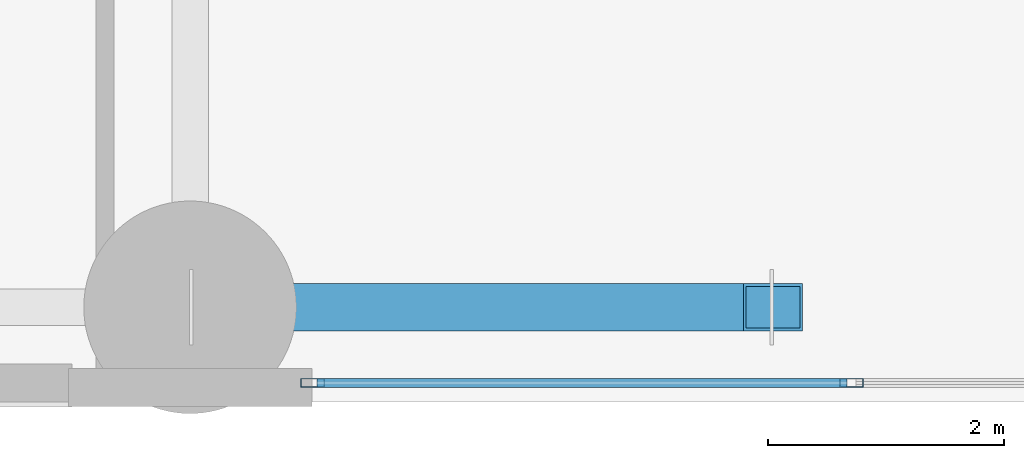
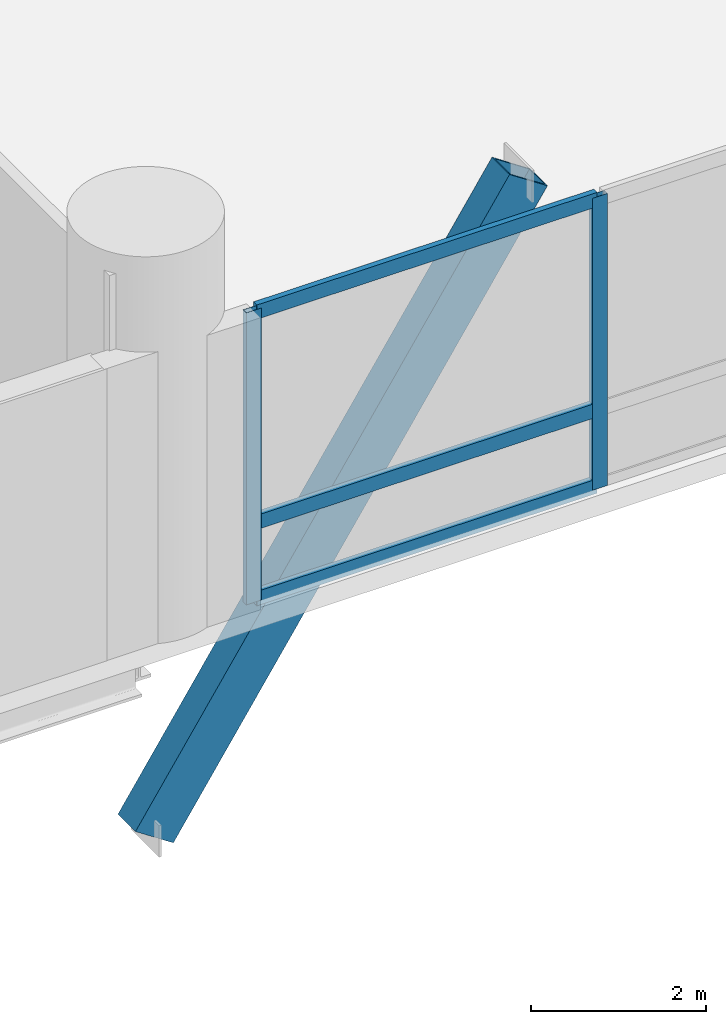
# One storey, part 4 of 40: 6 members, 1 element without a shape of its own.
"""IFC4 building model written with IfcOpenShell, lengths in metres."""

from ifc_helpers import new_model, si_unit, direction, frame, origin, origin_2d, place, context, subcontext, project, spatial, hollow_rectangle, extrude, material, layer, layer_set, material_profile, profile_set, type_object, element, aggregate, save


model = new_model("IFC4")

# Units and contexts
model_context = context("Model", 3, precision=1e-05, world=origin(), true_north=direction((0.0, 1.0)))
body_context = subcontext(model_context, "Body", "Model", "MODEL_VIEW")
ifc_project = project(units=[si_unit("LENGTHUNIT", "METRE"), si_unit("AREAUNIT", "SQUARE_METRE"), si_unit("VOLUMEUNIT", "CUBIC_METRE"), si_unit("PLANEANGLEUNIT", "RADIAN"), si_unit("MASSUNIT", "GRAM", prefix="KILO")], contexts=[model_context])

# Site, building, storey
site_placement = place(None, origin())
site = spatial("IfcSite", under=ifc_project, at=site_placement, CompositionType="ELEMENT")
building_placement = place(site_placement, origin())
building = spatial("IfcBuilding", under=site, at=building_placement, Name="Varnelok Gate Tower", CompositionType="ELEMENT")
storey_placement = place(building_placement, frame((0.0, 0.0, 5.39990234375)))
storey = spatial("IfcBuildingStorey", under=building, at=storey_placement, Name="L01", CompositionType="ELEMENT", Elevation=5.39990234375)

# Curtain wall, members
ifc_material_1 = material(Name="Anodized Aluminum Alloy 6063-T6", Category="aluminium")
ifc_layer = layer(ifc_material_1, 0.179931640625)
ifc_layer_set = layer_set([ifc_layer], Name="Anodized Aluminum Alloy 6063-T6")
curtain_wall_type = type_object("IfcCurtainWallType", Name="CW1-ARCH-PORTAL", PredefinedType="USERDEFINED", material=ifc_layer_set)
curtain_wall_placement = place(storey_placement, origin())
curtain_wall = element("IfcCurtainWall", 1, at=curtain_wall_placement, inside=storey, type_object=curtain_wall_type, Name="L01 Giant Arch Portal Glazed Curtain Wall", ObjectType="UNITISED CURTAIN WALL", PredefinedType="USERDEFINED")
ifc_material_profile_1 = material_profile(ifc_material_1, hollow_rectangle(XDim=0.074951171875, YDim=0.199951171875, WallThickness=0.00390625, at=origin_2d()), Name="ALU200X75X4")
ifc_profile_set_1 = profile_set([ifc_material_profile_1], Name="Anodized Aluminum Alloy 6063-T6")
member_type_1 = type_object("IfcMemberType", Name="CW-MULL-200", PredefinedType="MULLION", material=ifc_profile_set_1)
member_1_placement = place(storey_placement, frame((30.0, 0.159912109375, 0.0), z_axis=(0.0, 0.0, 1.0), x_axis=(0.0, -1.0, 0.0)))
member_1 = element("IfcMember", 2, at=member_1_placement, type_object=member_type_1, Name="CW1 mullion 6", PredefinedType="MULLION", context=body_context, shape_type="SweptSolid", body=[
    extrude(hollow_rectangle(XDim=0.074951171875, YDim=0.199951171875, WallThickness=0.00390625, at=origin_2d()), origin(), (0.0, 0.0, 1.0), 4.070068359375),
])
member_2_placement = place(storey_placement, frame((25.4375, 0.159912109375, 0.0), z_axis=(0.0, 0.0, 1.0), x_axis=(0.0, -1.0, 0.0)))
member_2 = element("IfcMember", 3, at=member_2_placement, type_object=member_type_1, Name="CW1 mullion 7", PredefinedType="MULLION", context=body_context, shape_type="SweptSolid", body=[
    extrude(hollow_rectangle(XDim=0.074951171875, YDim=0.199951171875, WallThickness=0.00390625, at=origin_2d()), origin(), (0.0, 0.0, 1.0), 4.070068359375),
])
ifc_material_profile_2 = material_profile(ifc_material_1, hollow_rectangle(XDim=0.074951171875, YDim=0.199951171875, WallThickness=0.00390625, at=origin_2d()), Name="ALU200X75X4")
ifc_profile_set_2 = profile_set([ifc_material_profile_2], Name="Anodized Aluminum Alloy 6063-T6")
member_type_2 = type_object("IfcMemberType", Name="CW-TRAN-200", PredefinedType="USERDEFINED", material=ifc_profile_set_2)
member_3_placement = place(storey_placement, frame((29.96240234375, 0.159912109375, 0.03759765625), z_axis=(-1.0, 0.0, 0.0), x_axis=(0.0, -1.0, 0.0)))
member_3 = element("IfcMember", 4, at=member_3_placement, type_object=member_type_2, Name="CW1 transom 6.1", ObjectType="TRANSOM", PredefinedType="USERDEFINED", context=body_context, shape_type="SweptSolid", body=[
    extrude(hollow_rectangle(XDim=0.074951171875, YDim=0.199951171875, WallThickness=0.00390625, at=origin_2d()), origin(), (0.0, 0.0, 1.0), 4.4873046875),
])
member_4_placement = place(storey_placement, frame((29.96240234375, 0.159912109375, 1.10009765625), z_axis=(-1.0, 0.0, 0.0), x_axis=(0.0, -1.0, 0.0)))
member_4 = element("IfcMember", 5, at=member_4_placement, type_object=member_type_2, Name="CW1 transom 6.2", ObjectType="TRANSOM", PredefinedType="USERDEFINED", context=body_context, shape_type="SweptSolid", body=[
    extrude(hollow_rectangle(XDim=0.074951171875, YDim=0.199951171875, WallThickness=0.00390625, at=origin_2d()), origin(), (0.0, 0.0, 1.0), 4.4873046875),
])
member_5_placement = place(storey_placement, frame((29.96240234375, 0.159912109375, 4.03271484375), z_axis=(-1.0, 0.0, 0.0), x_axis=(0.0, -1.0, 0.0)))
member_5 = element("IfcMember", 6, at=member_5_placement, type_object=member_type_2, Name="CW1 transom 6.3", ObjectType="TRANSOM", PredefinedType="USERDEFINED", context=body_context, shape_type="SweptSolid", body=[
    extrude(hollow_rectangle(XDim=0.074951171875, YDim=0.199951171875, WallThickness=0.00390625, at=origin_2d()), origin(), (0.0, 0.0, 1.0), 4.4873046875),
])
aggregate(curtain_wall, [member_1, member_2, member_3, member_4, member_5])

# Member
ifc_material_2 = material(Name="Structural Steel ASTM A572 Grade 50", Category="steel")
ifc_material_profile_3 = material_profile(ifc_material_2, hollow_rectangle(XDim=0.39990234375, YDim=0.60009765625, WallThickness=0.02490234375, at=origin_2d()), Name="HSS600X400X25")
ifc_profile_set_3 = profile_set([ifc_material_profile_3], Name="Structural Steel ASTM A572 Grade 50")
member_type_3 = type_object("IfcMemberType", Name="MEM-ARCH-CHORD", PredefinedType="CHORD", material=ifc_profile_set_3)
member_6_placement = place(storey_placement, frame((24.39990234375, 0.800048828125, -3.199951171875), z_axis=(0.552974977986, 0.0, 0.833197859888), x_axis=(0.0, 1.0, 0.0)))
element("IfcMember", 7, at=member_6_placement, inside=storey, type_object=member_type_3, Name="Giant Arch South Chord Rib 1", PredefinedType="CHORD", context=body_context, shape_type="SweptSolid", body=[
    extrude(hollow_rectangle(XDim=0.39990234375, YDim=0.60009765625, WallThickness=0.02490234375, at=origin_2d()), origin(), (0.0, 0.0, 1.0), 8.92138671875),
])

save(model, "model.ifc")
